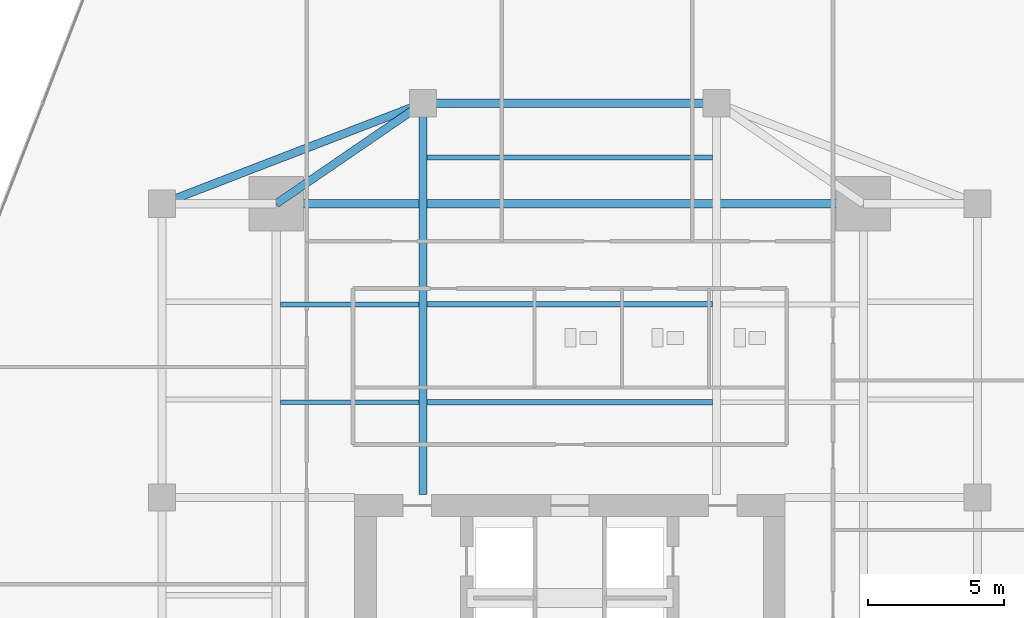
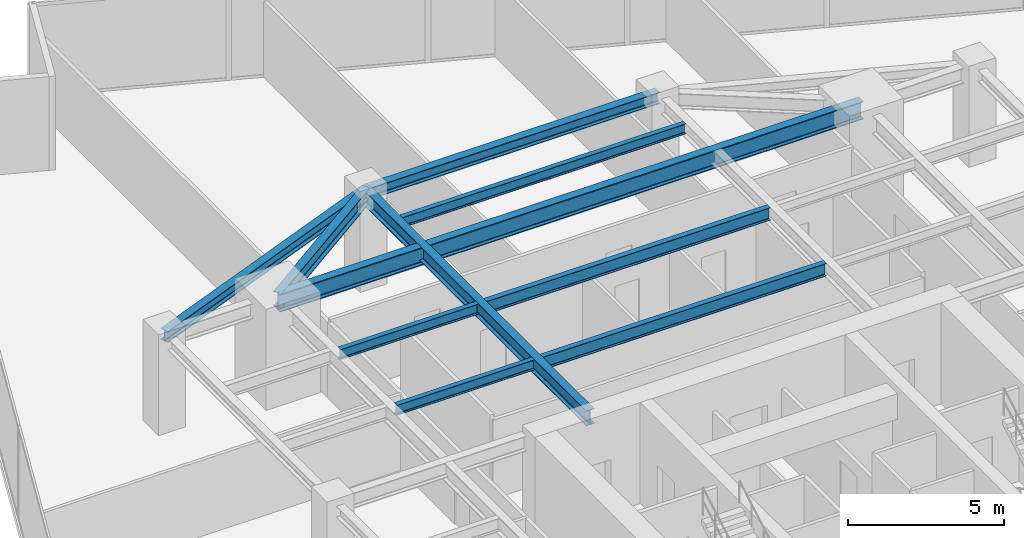
# One storey, part 15 of 26: 10 beams.
"""IFC4 building model written with IfcOpenShell, lengths in metres."""

from ifc_helpers import new_model, si_unit, direction, frame, origin, origin_2d, place, context, subcontext, project, spatial, i_section, extrude, source, transform, mapped, material, material_profile, profile_set, type_object, type_shapes, element, save


model = new_model("IFC4")

# Units and contexts
model_context = context("Model", 3, precision=1e-05, world=origin(), true_north=direction((0.0, 1.0)))
body_context = subcontext(model_context, "Body", "Model", "MODEL_VIEW")
ifc_project = project(units=[si_unit("LENGTHUNIT", "METRE"), si_unit("AREAUNIT", "SQUARE_METRE"), si_unit("VOLUMEUNIT", "CUBIC_METRE"), si_unit("PLANEANGLEUNIT", "RADIAN"), si_unit("MASSUNIT", "GRAM", prefix="KILO")], contexts=[model_context])

# Site, building, storey
site_placement = place(None, origin())
site = spatial("IfcSite", under=ifc_project, at=site_placement, CompositionType="ELEMENT")
building_placement = place(site_placement, origin())
building = spatial("IfcBuilding", under=site, at=building_placement, Name="Krantzveldt Concourse Tower", CompositionType="ELEMENT")
storey_placement = place(building_placement, frame((0.0, 0.0, 133.5)))
storey = spatial("IfcBuildingStorey", under=building, at=storey_placement, Name="L32", CompositionType="ELEMENT", Elevation=133.5)

# Beams
ifc_material_1 = material(Name="Steel S355J2", Category="steel")
ifc_material_profile_1 = material_profile(ifc_material_1, i_section(OverallWidth=0.300048828125, OverallDepth=0.699951171875, WebThickness=0.01708984375, FlangeThickness=0.031982421875, FilletRadius=0.027099609375, at=origin_2d()), Name="Steel S355J2", Category="steel")
ifc_profile_set_1 = profile_set([ifc_material_profile_1], Name="Steel S355J2 - HEB 700")
beam_type_1 = type_object("IfcBeamType", Name="BM-B-HEB700", PredefinedType="BEAM", material=ifc_profile_set_1)
shared_shape_1 = source(origin(), body_context, "Body", "SweptSolid", [
    extrude(i_section(OverallWidth=0.300048828125, OverallDepth=0.699951171875, WebThickness=0.01708984375, FlangeThickness=0.031982421875, FilletRadius=0.027099609375, at=origin_2d()), origin(), (0.0, 0.0, 1.0), 21.60009765625),
])
type_shapes(beam_type_1, [shared_shape_1])
beam_1_placement = place(storey_placement, frame((25.199951171875, 37.5, 3.320068359375), z_axis=(1.0, 0.0, 0.0), x_axis=(0.0, 1.0, 0.0)))
element("IfcBeam", 1, at=beam_1_placement, inside=storey, type_object=beam_type_1, Name="L32 Tower Girder BG-MN", PredefinedType="BEAM", context=body_context, shape_type="MappedRepresentation", body=[
    mapped(shared_shape_1, transform((0.0, 0.0, 0.0), x_axis=(1.0, 0.0, 0.0), y_axis=(0.0, 1.0, 0.0), z_axis=(0.0, 0.0, 1.0), scale=1.0)),
])
ifc_material_2 = material(Name="Steel S355JR", Category="steel")
ifc_material_profile_2 = material_profile(ifc_material_2, i_section(OverallWidth=0.300048828125, OverallDepth=0.590087890625, WebThickness=0.012939453125, FlangeThickness=0.02490234375, FilletRadius=0.027099609375, at=origin_2d()), Name="Steel S355JR", Category="steel")
ifc_profile_set_2 = profile_set([ifc_material_profile_2], Name="Steel S355JR - HEA 600")
beam_type_2 = type_object("IfcBeamType", Name="BM-B-HEA600", PredefinedType="BEAM", material=ifc_profile_set_2)
shared_shape_2 = source(origin(), body_context, "Body", "SweptSolid", [
    extrude(i_section(OverallWidth=0.300048828125, OverallDepth=0.590087890625, WebThickness=0.012939453125, FlangeThickness=0.02490234375, FilletRadius=0.027099609375, at=origin_2d()), origin(), (0.0, 0.0, 1.0), 14.39990234375),
])
beam_2_placement = place(storey_placement, frame((30.60009765625, 26.800048828125, 3.375), z_axis=(0.0, 1.0, 0.0), x_axis=(-1.0, 0.0, 0.0)))
element("IfcBeam", 2, at=beam_2_placement, inside=storey, type_object=beam_type_2, Name="L32 Tower Girder BG-CNW", PredefinedType="BEAM", context=body_context, shape_type="MappedRepresentation", body=[
    mapped(shared_shape_2, transform((0.0, 0.0, 0.0), x_axis=(1.0, 0.0, 0.0), y_axis=(0.0, 1.0, 0.0), z_axis=(0.0, 0.0, 1.0), scale=1.0)),
])
ifc_material_profile_3 = material_profile(ifc_material_2, i_section(OverallWidth=0.300048828125, OverallDepth=0.43994140625, WebThickness=0.011474609375, FlangeThickness=0.02099609375, FilletRadius=0.027099609375, at=origin_2d()), Name="Steel S355JR", Category="steel")
ifc_profile_set_3 = profile_set([ifc_material_profile_3], Name="Steel S355JR - HEA 450")
beam_type_3 = type_object("IfcBeamType", Name="BM-SP-HEA450", PredefinedType="SPANDREL", material=ifc_profile_set_3)
shared_shape_3 = source(origin(), body_context, "Body", "SweptSolid", [
    extrude(i_section(OverallWidth=0.300048828125, OverallDepth=0.43994140625, WebThickness=0.011474609375, FlangeThickness=0.02099609375, FilletRadius=0.027099609375, at=origin_2d()), origin(), (0.0, 0.0, 1.0), 10.288330078125),
])
beam_3_placement = place(storey_placement, frame((21.0, 37.5, 3.449951171875), z_axis=(0.933097690408, 0.359622997257, 0.0), x_axis=(-0.359622997257, 0.933097690408, 0.0)))
element("IfcBeam", 3, at=beam_3_placement, inside=storey, type_object=beam_type_3, Name="L32 Tower Girder SP-R03", PredefinedType="SPANDREL", context=body_context, shape_type="MappedRepresentation", body=[
    mapped(shared_shape_3, transform((0.0, 0.0, 0.0), x_axis=(1.0, 0.0, 0.0), y_axis=(0.0, 1.0, 0.0), z_axis=(0.0, 0.0, 1.0), scale=1.0)),
])
shared_shape_4 = source(origin(), body_context, "Body", "SweptSolid", [
    extrude(i_section(OverallWidth=0.300048828125, OverallDepth=0.43994140625, WebThickness=0.011474609375, FlangeThickness=0.02099609375, FilletRadius=0.027099609375, at=origin_2d()), origin(), (0.0, 0.0, 1.0), 10.7998046875),
])
type_shapes(beam_type_3, [shared_shape_3, shared_shape_4])
beam_4_placement = place(storey_placement, frame((30.60009765625, 41.199951171875, 3.449951171875), z_axis=(1.0, 0.0, 0.0), x_axis=(0.0, 1.0, 0.0)))
element("IfcBeam", 4, at=beam_4_placement, inside=storey, type_object=beam_type_3, Name="L32 Tower Girder SP-R04", PredefinedType="SPANDREL", context=body_context, shape_type="MappedRepresentation", body=[
    mapped(shared_shape_4, transform((0.0, 0.0, 0.0), x_axis=(1.0, 0.0, 0.0), y_axis=(0.0, 1.0, 0.0), z_axis=(0.0, 0.0, 1.0), scale=1.0)),
])
shared_shape_5 = source(origin(), body_context, "Body", "SweptSolid", [
    extrude(i_section(OverallWidth=0.300048828125, OverallDepth=0.590087890625, WebThickness=0.012939453125, FlangeThickness=0.02490234375, FilletRadius=0.027099609375, at=origin_2d()), origin(), (0.0, 0.0, 1.0), 6.546142578125),
])
type_shapes(beam_type_2, [shared_shape_2, shared_shape_5])
beam_5_placement = place(storey_placement, frame((25.199951171875, 37.5, 3.375), z_axis=(0.824942999484, 0.565215930068, 0.0), x_axis=(-0.565215930068, 0.824942999484, 0.0)))
element("IfcBeam", 5, at=beam_5_placement, inside=storey, type_object=beam_type_2, Name="L32 Tower Girder BR-RL4", PredefinedType="BEAM", context=body_context, shape_type="MappedRepresentation", body=[
    mapped(shared_shape_5, transform((0.0, 0.0, 0.0), x_axis=(1.0, 0.0, 0.0), y_axis=(0.0, 1.0, 0.0), z_axis=(0.0, 0.0, 1.0), scale=1.0)),
])
ifc_material_profile_4 = material_profile(ifc_material_2, i_section(OverallWidth=0.199951171875, OverallDepth=0.5, WebThickness=0.01025390625, FlangeThickness=0.01611328125, FilletRadius=0.02099609375, at=origin_2d()), Name="Steel S355JR", Category="steel")
ifc_profile_set_4 = profile_set([ifc_material_profile_4], Name="Steel S355JR - IPE 500")
beam_type_4 = type_object("IfcBeamType", Name="BM-J-IPE500", PredefinedType="JOIST", material=ifc_profile_set_4)
shared_shape_6 = source(origin(), body_context, "Body", "SweptSolid", [
    extrude(i_section(OverallWidth=0.199951171875, OverallDepth=0.5, WebThickness=0.01025390625, FlangeThickness=0.01611328125, FilletRadius=0.02099609375, at=origin_2d()), origin(), (0.0, 0.0, 1.0), 10.5),
])
type_shapes(beam_type_4, [shared_shape_6])
for number, where, z_axis, x_axis, name in (
    (6, (30.75, 30.199951171875, 3.419921875), (1.0, 0.0, 0.0), (0.0, 1.0, 0.0), "L32 Secondary Floor Joist JN-C1"),
    (7, (30.75, 33.800048828125, 3.419921875), (1.0, 0.0, 0.0), (0.0, 1.0, 0.0), "L32 Secondary Floor Joist JN-C2"),
):
    element("IfcBeam", number, at=place(storey_placement, frame(where, z_axis=z_axis, x_axis=x_axis)), inside=storey, type_object=beam_type_4, Name=name, PredefinedType="JOIST", context=body_context, shape_type="MappedRepresentation", body=[
        mapped(shared_shape_6, transform((0.0, 0.0, 0.0), x_axis=(1.0, 0.0, 0.0), y_axis=(0.0, 1.0, 0.0), z_axis=(0.0, 0.0, 1.0), scale=1.0)),
    ])
ifc_material_profile_5 = material_profile(ifc_material_2, i_section(OverallWidth=0.179931640625, OverallDepth=0.39990234375, WebThickness=0.008544921875, FlangeThickness=0.013427734375, FilletRadius=0.02099609375, at=origin_2d()), Name="Steel S355JR", Category="steel")
ifc_profile_set_5 = profile_set([ifc_material_profile_5], Name="Steel S355JR - IPE 400")
beam_type_5 = type_object("IfcBeamType", Name="BM-J-IPE400", PredefinedType="JOIST", material=ifc_profile_set_5)
shared_shape_7 = source(origin(), body_context, "Body", "SweptSolid", [
    extrude(i_section(OverallWidth=0.179931640625, OverallDepth=0.39990234375, WebThickness=0.008544921875, FlangeThickness=0.013427734375, FilletRadius=0.02099609375, at=origin_2d()), origin(), (0.0, 0.0, 1.0), 10.5),
])
beam_6_placement = place(storey_placement, frame((30.75, 39.199951171875, 3.469970703125), z_axis=(1.0, 0.0, 0.0), x_axis=(0.0, 1.0, 0.0)))
element("IfcBeam", 8, at=beam_6_placement, inside=storey, type_object=beam_type_5, Name="L32 Secondary Floor Joist JN-C3", PredefinedType="JOIST", context=body_context, shape_type="MappedRepresentation", body=[
    mapped(shared_shape_7, transform((0.0, 0.0, 0.0), x_axis=(1.0, 0.0, 0.0), y_axis=(0.0, 1.0, 0.0), z_axis=(0.0, 0.0, 1.0), scale=1.0)),
])
shared_shape_8 = source(origin(), body_context, "Body", "SweptSolid", [
    extrude(i_section(OverallWidth=0.179931640625, OverallDepth=0.39990234375, WebThickness=0.008544921875, FlangeThickness=0.013427734375, FilletRadius=0.02099609375, at=origin_2d()), origin(), (0.0, 0.0, 1.0), 5.099853515625),
])
type_shapes(beam_type_5, [shared_shape_7, shared_shape_8])
for number, where, z_axis, x_axis, name in (
    (9, (25.35009765625, 30.199951171875, 3.469970703125), (1.0, 0.0, 0.0), (0.0, 1.0, 0.0), "L32 Secondary Floor Joist JN-W1"),
    (10, (25.35009765625, 33.800048828125, 3.469970703125), (1.0, 0.0, 0.0), (0.0, 1.0, 0.0), "L32 Secondary Floor Joist JN-W2"),
):
    element("IfcBeam", number, at=place(storey_placement, frame(where, z_axis=z_axis, x_axis=x_axis)), inside=storey, type_object=beam_type_5, Name=name, PredefinedType="JOIST", context=body_context, shape_type="MappedRepresentation", body=[
        mapped(shared_shape_8, transform((0.0, 0.0, 0.0), x_axis=(1.0, 0.0, 0.0), y_axis=(0.0, 1.0, 0.0), z_axis=(0.0, 0.0, 1.0), scale=1.0)),
    ])

save(model, "model.ifc")
